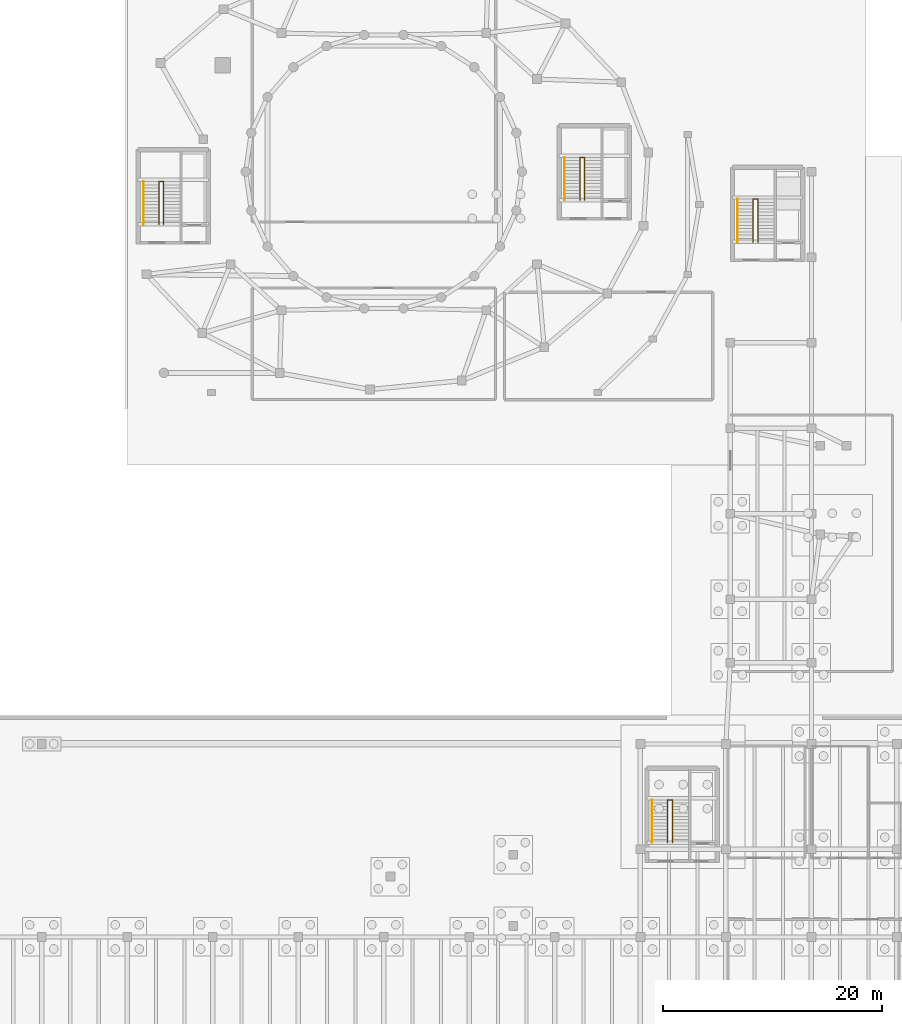
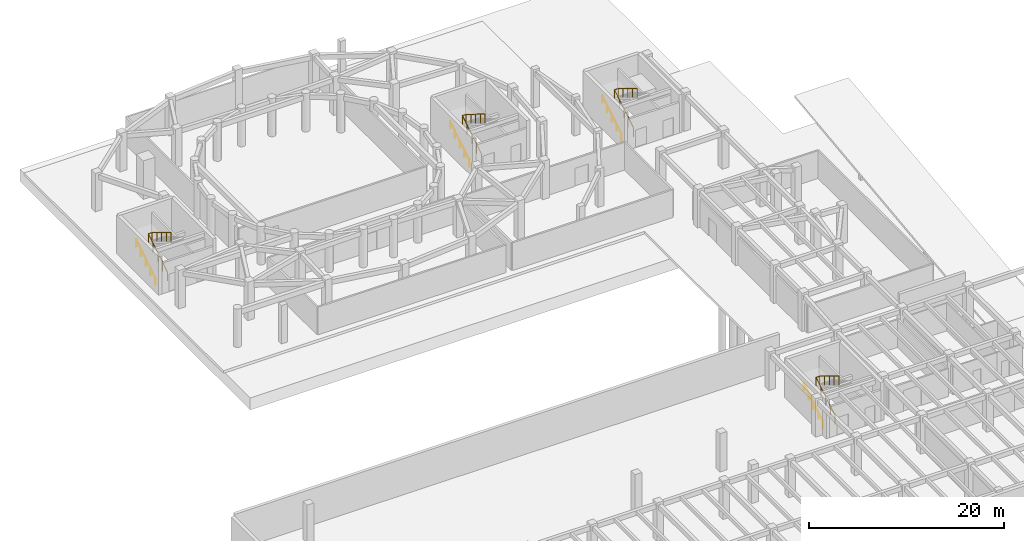
# One storey, part 10 of 11: 8 railings.
"""IFC4 building model written with IfcOpenShell, lengths in metres."""

from ifc_helpers import new_model, si_unit, direction, frame, origin, origin_2d, place, context, subcontext, project, spatial, circle, extrude, material, type_object, element, save


model = new_model("IFC4")

# Units and contexts
model_context = context("Model", 3, precision=1e-05, world=origin(), true_north=direction((0.0, 1.0)))
body_context = subcontext(model_context, "Body", "Model", "MODEL_VIEW")
ifc_project = project(units=[si_unit("LENGTHUNIT", "METRE"), si_unit("AREAUNIT", "SQUARE_METRE"), si_unit("VOLUMEUNIT", "CUBIC_METRE"), si_unit("PLANEANGLEUNIT", "RADIAN"), si_unit("MASSUNIT", "GRAM", prefix="KILO")], contexts=[model_context])

# Site, building, storey
site_placement = place(None, origin())
site = spatial("IfcSite", under=ifc_project, at=site_placement, CompositionType="ELEMENT")
building_placement = place(site_placement, origin())
building = spatial("IfcBuilding", under=site, at=building_placement, Name="Pelvatis Terrace Science Centre", CompositionType="ELEMENT")
storey_placement = place(building_placement, frame((0.0, 0.0, -4.800048828125)))
storey = spatial("IfcBuildingStorey", under=building, at=storey_placement, Name="B01", CompositionType="ELEMENT", Elevation=-4.800048828125)

# Railings
ifc_material_1 = material(Name="Brushed architectural bronze tubular railing", Category="steel")
railing_type_1 = type_object("IfcRailingType", Name="RLG-GRD-1120", PredefinedType="GUARDRAIL", material=ifc_material_1)
railing_1_placement = place(storey_placement, frame((88.679931640625, 81.0, 0.0)))
element("IfcRailing", 1, at=railing_1_placement, inside=storey, type_object=railing_type_1, Name="Stair ST-01-B01 inner well guardrail", PredefinedType="GUARDRAIL", context=body_context, shape_type="SweptSolid", body=[
    extrude(circle(Radius=0.02392578125, at=origin_2d()), frame((0.0, 0.0, 1.09619140625), z_axis=(0.0, 0.851638180308, 0.5241301459), x_axis=(-1.0, 0.0, 0.0)), (0.0, 0.0, 1.0), 4.579345703125),
    extrude(circle(Radius=0.02392578125, at=origin_2d()), frame((0.0, 3.89990234375, 3.49609375), z_axis=(1.0, 0.0, 0.0), x_axis=(0.0, 1.0, 0.0)), (0.0, 0.0, 1.0), 0.440185546875),
    extrude(circle(Radius=0.02392578125, at=origin_2d()), frame((0.440185546875, 3.89990234375, 3.49609375), z_axis=(0.0, -0.851661977835, 0.524091476281), x_axis=(1.0, 0.0, 0.0)), (0.0, 0.0, 1.0), 4.5791015625),
    extrude(circle(Radius=0.02099609375, at=origin_2d()), origin(), (0.0, 0.0, 1.0), 1.072021484375),
    extrude(circle(Radius=0.02099609375, at=origin_2d()), frame((0.0, 0.97509765625, 0.60009765625)), (0.0, 0.0, 1.0), 1.072021484375),
    extrude(circle(Radius=0.02099609375, at=origin_2d()), frame((0.0, 1.949951171875, 1.2001953125)), (0.0, 0.0, 1.0), 1.072021484375),
    extrude(circle(Radius=0.02099609375, at=origin_2d()), frame((0.0, 2.9248046875, 1.800048828125)), (0.0, 0.0, 1.0), 1.072021484375),
    extrude(circle(Radius=0.02099609375, at=origin_2d()), frame((0.0, 3.89990234375, 2.400146484375)), (0.0, 0.0, 1.0), 1.072021484375),
    extrude(circle(Radius=0.02099609375, at=origin_2d()), frame((0.440185546875, 3.89990234375, 2.400146484375)), (0.0, 0.0, 1.0), 1.072021484375),
    extrude(circle(Radius=0.02099609375, at=origin_2d()), frame((0.440185546875, 2.9248046875, 3.0)), (0.0, 0.0, 1.0), 1.072021484375),
    extrude(circle(Radius=0.02099609375, at=origin_2d()), frame((0.440185546875, 1.949951171875, 3.60009765625)), (0.0, 0.0, 1.0), 1.072021484375),
    extrude(circle(Radius=0.02099609375, at=origin_2d()), frame((0.440185546875, 0.97509765625, 4.2001953125)), (0.0, 0.0, 1.0), 1.072021484375),
    extrude(circle(Radius=0.02099609375, at=origin_2d()), frame((0.440185546875, 0.0, 4.800048828125)), (0.0, 0.0, 1.0), 1.072021484375),
])
railing_2_placement = place(storey_placement, frame((127.080078125, 83.199951171875, 0.0)))
element("IfcRailing", 2, at=railing_2_placement, inside=storey, type_object=railing_type_1, Name="Stair ST-02-B01 inner well guardrail", PredefinedType="GUARDRAIL", context=body_context, shape_type="SweptSolid", body=[
    extrude(circle(Radius=0.02392578125, at=origin_2d()), frame((0.0, 0.0, 1.09619140625), z_axis=(0.0, 0.851652825334, 0.524106349037), x_axis=(-1.0, 0.0, 0.0)), (0.0, 0.0, 1.0), 4.57958984375),
    extrude(circle(Radius=0.02392578125, at=origin_2d()), frame((0.0, 3.900146484375, 3.49609375), z_axis=(1.0, 0.0, 0.0), x_axis=(0.0, 1.0, 0.0)), (0.0, 0.0, 1.0), 0.43994140625),
    extrude(circle(Radius=0.02392578125, at=origin_2d()), frame((0.43994140625, 3.900146484375, 3.49609375), z_axis=(0.0, -0.851676621109, 0.524067679844), x_axis=(1.0, 0.0, 0.0)), (0.0, 0.0, 1.0), 4.579345703125),
    extrude(circle(Radius=0.02099609375, at=origin_2d()), origin(), (0.0, 0.0, 1.0), 1.072021484375),
    extrude(circle(Radius=0.02099609375, at=origin_2d()), frame((0.0, 0.97509765625, 0.60009765625)), (0.0, 0.0, 1.0), 1.072021484375),
    extrude(circle(Radius=0.02099609375, at=origin_2d()), frame((0.0, 1.9501953125, 1.2001953125)), (0.0, 0.0, 1.0), 1.072021484375),
    extrude(circle(Radius=0.02099609375, at=origin_2d()), frame((0.0, 2.925048828125, 1.800048828125)), (0.0, 0.0, 1.0), 1.072021484375),
    extrude(circle(Radius=0.02099609375, at=origin_2d()), frame((0.0, 3.900146484375, 2.400146484375)), (0.0, 0.0, 1.0), 1.072021484375),
    extrude(circle(Radius=0.02099609375, at=origin_2d()), frame((0.43994140625, 3.900146484375, 2.400146484375)), (0.0, 0.0, 1.0), 1.072021484375),
    extrude(circle(Radius=0.02099609375, at=origin_2d()), frame((0.43994140625, 2.925048828125, 3.0)), (0.0, 0.0, 1.0), 1.072021484375),
    extrude(circle(Radius=0.02099609375, at=origin_2d()), frame((0.43994140625, 1.9501953125, 3.60009765625)), (0.0, 0.0, 1.0), 1.072021484375),
    extrude(circle(Radius=0.02099609375, at=origin_2d()), frame((0.43994140625, 0.97509765625, 4.2001953125)), (0.0, 0.0, 1.0), 1.072021484375),
    extrude(circle(Radius=0.02099609375, at=origin_2d()), frame((0.43994140625, 0.0, 4.800048828125)), (0.0, 0.0, 1.0), 1.072021484375),
])
railing_3_placement = place(storey_placement, frame((142.8798828125, 79.39990234375, 0.0)))
element("IfcRailing", 3, at=railing_3_placement, inside=storey, type_object=railing_type_1, Name="Stair ST-03-B01 inner well guardrail", PredefinedType="GUARDRAIL", context=body_context, shape_type="SweptSolid", body=[
    extrude(circle(Radius=0.02392578125, at=origin_2d()), frame((0.0, 0.0, 1.09619140625), z_axis=(0.0, 0.851652825334, 0.524106349037), x_axis=(-1.0, 0.0, 0.0)), (0.0, 0.0, 1.0), 4.57958984375),
    extrude(circle(Radius=0.02392578125, at=origin_2d()), frame((0.0, 3.900146484375, 3.49609375), z_axis=(1.0, 0.0, 0.0), x_axis=(0.0, 1.0, 0.0)), (0.0, 0.0, 1.0), 0.440185546875),
    extrude(circle(Radius=0.02392578125, at=origin_2d()), frame((0.440185546875, 3.900146484375, 3.49609375), z_axis=(0.0, -0.851676621109, 0.524067679844), x_axis=(1.0, 0.0, 0.0)), (0.0, 0.0, 1.0), 4.579345703125),
    extrude(circle(Radius=0.02099609375, at=origin_2d()), origin(), (0.0, 0.0, 1.0), 1.072021484375),
    extrude(circle(Radius=0.02099609375, at=origin_2d()), frame((0.0, 0.97509765625, 0.60009765625)), (0.0, 0.0, 1.0), 1.072021484375),
    extrude(circle(Radius=0.02099609375, at=origin_2d()), frame((0.0, 1.9501953125, 1.2001953125)), (0.0, 0.0, 1.0), 1.072021484375),
    extrude(circle(Radius=0.02099609375, at=origin_2d()), frame((0.0, 2.925048828125, 1.800048828125)), (0.0, 0.0, 1.0), 1.072021484375),
    extrude(circle(Radius=0.02099609375, at=origin_2d()), frame((0.0, 3.900146484375, 2.400146484375)), (0.0, 0.0, 1.0), 1.072021484375),
    extrude(circle(Radius=0.02099609375, at=origin_2d()), frame((0.440185546875, 3.900146484375, 2.400146484375)), (0.0, 0.0, 1.0), 1.072021484375),
    extrude(circle(Radius=0.02099609375, at=origin_2d()), frame((0.440185546875, 2.925048828125, 3.0)), (0.0, 0.0, 1.0), 1.072021484375),
    extrude(circle(Radius=0.02099609375, at=origin_2d()), frame((0.440185546875, 1.9501953125, 3.60009765625)), (0.0, 0.0, 1.0), 1.072021484375),
    extrude(circle(Radius=0.02099609375, at=origin_2d()), frame((0.440185546875, 0.97509765625, 4.2001953125)), (0.0, 0.0, 1.0), 1.072021484375),
    extrude(circle(Radius=0.02099609375, at=origin_2d()), frame((0.440185546875, 0.0, 4.800048828125)), (0.0, 0.0, 1.0), 1.072021484375),
])
railing_4_placement = place(storey_placement, frame((135.080078125, 24.60009765625, 0.0)))
element("IfcRailing", 4, at=railing_4_placement, inside=storey, type_object=railing_type_1, Name="Stair ST-04-B01 inner well guardrail", PredefinedType="GUARDRAIL", context=body_context, shape_type="SweptSolid", body=[
    extrude(circle(Radius=0.02392578125, at=origin_2d()), frame((0.0, 0.0, 1.09619140625), z_axis=(0.0, 0.851638180308, 0.5241301459), x_axis=(-1.0, 0.0, 0.0)), (0.0, 0.0, 1.0), 4.579345703125),
    extrude(circle(Radius=0.02392578125, at=origin_2d()), frame((0.0, 3.89990234375, 3.49609375), z_axis=(1.0, 0.0, 0.0), x_axis=(0.0, 1.0, 0.0)), (0.0, 0.0, 1.0), 0.43994140625),
    extrude(circle(Radius=0.02392578125, at=origin_2d()), frame((0.43994140625, 3.89990234375, 3.49609375), z_axis=(0.0, -0.851661977835, 0.524091476281), x_axis=(1.0, 0.0, 0.0)), (0.0, 0.0, 1.0), 4.5791015625),
    extrude(circle(Radius=0.02099609375, at=origin_2d()), origin(), (0.0, 0.0, 1.0), 1.072021484375),
    extrude(circle(Radius=0.02099609375, at=origin_2d()), frame((0.0, 0.97509765625, 0.60009765625)), (0.0, 0.0, 1.0), 1.072021484375),
    extrude(circle(Radius=0.02099609375, at=origin_2d()), frame((0.0, 1.949951171875, 1.2001953125)), (0.0, 0.0, 1.0), 1.072021484375),
    extrude(circle(Radius=0.02099609375, at=origin_2d()), frame((0.0, 2.9248046875, 1.800048828125)), (0.0, 0.0, 1.0), 1.072021484375),
    extrude(circle(Radius=0.02099609375, at=origin_2d()), frame((0.0, 3.89990234375, 2.400146484375)), (0.0, 0.0, 1.0), 1.072021484375),
    extrude(circle(Radius=0.02099609375, at=origin_2d()), frame((0.43994140625, 3.89990234375, 2.400146484375)), (0.0, 0.0, 1.0), 1.072021484375),
    extrude(circle(Radius=0.02099609375, at=origin_2d()), frame((0.43994140625, 2.9248046875, 3.0)), (0.0, 0.0, 1.0), 1.072021484375),
    extrude(circle(Radius=0.02099609375, at=origin_2d()), frame((0.43994140625, 1.949951171875, 3.60009765625)), (0.0, 0.0, 1.0), 1.072021484375),
    extrude(circle(Radius=0.02099609375, at=origin_2d()), frame((0.43994140625, 0.97509765625, 4.2001953125)), (0.0, 0.0, 1.0), 1.072021484375),
    extrude(circle(Radius=0.02099609375, at=origin_2d()), frame((0.43994140625, 0.0, 4.800048828125)), (0.0, 0.0, 1.0), 1.072021484375),
])
ifc_material_2 = material(Name="Brushed architectural bronze tubular railing", Category="steel")
railing_type_2 = type_object("IfcRailingType", Name="RLG-HND-0900", PredefinedType="HANDRAIL", material=ifc_material_2)
railing_5_placement = place(storey_placement, frame((87.260009765625, 81.0, 0.0)))
element("IfcRailing", 5, at=railing_5_placement, inside=storey, type_object=railing_type_2, Name="Stair ST-01-B01 wall handrail", PredefinedType="HANDRAIL", context=body_context, shape_type="SweptSolid", body=[
    extrude(circle(Radius=0.02392578125, at=origin_2d()), frame((0.0, 0.0, 0.8759765625), z_axis=(0.0, 0.851638180308, 0.5241301459), x_axis=(-1.0, 0.0, 0.0)), (0.0, 0.0, 1.0), 4.579345703125),
    extrude(circle(Radius=0.02099609375, at=origin_2d()), origin(), (0.0, 0.0, 1.0), 0.851806640625),
    extrude(circle(Radius=0.02099609375, at=origin_2d()), frame((0.0, 0.97509765625, 0.60009765625)), (0.0, 0.0, 1.0), 0.851806640625),
    extrude(circle(Radius=0.02099609375, at=origin_2d()), frame((0.0, 1.949951171875, 1.2001953125)), (0.0, 0.0, 1.0), 0.851806640625),
    extrude(circle(Radius=0.02099609375, at=origin_2d()), frame((0.0, 2.9248046875, 1.800048828125)), (0.0, 0.0, 1.0), 0.851806640625),
    extrude(circle(Radius=0.02099609375, at=origin_2d()), frame((0.0, 3.89990234375, 2.400146484375)), (0.0, 0.0, 1.0), 0.851806640625),
])
for number, where, name in (
    (6, (125.659912109375, 83.199951171875, 0.0), "Stair ST-02-B01 wall handrail"),
    (7, (141.4599609375, 79.39990234375, 0.0), "Stair ST-03-B01 wall handrail"),
):
    element("IfcRailing", number, at=place(storey_placement, frame(where)), inside=storey, type_object=railing_type_2, Name=name, PredefinedType="HANDRAIL", context=body_context, shape_type="SweptSolid", body=[
        extrude(circle(Radius=0.02392578125, at=origin_2d()), frame((0.0, 0.0, 0.8759765625), z_axis=(0.0, 0.851652825334, 0.524106349037), x_axis=(-1.0, 0.0, 0.0)), (0.0, 0.0, 1.0), 4.57958984375),
        extrude(circle(Radius=0.02099609375, at=origin_2d()), origin(), (0.0, 0.0, 1.0), 0.851806640625),
        extrude(circle(Radius=0.02099609375, at=origin_2d()), frame((0.0, 0.97509765625, 0.60009765625)), (0.0, 0.0, 1.0), 0.851806640625),
        extrude(circle(Radius=0.02099609375, at=origin_2d()), frame((0.0, 1.9501953125, 1.2001953125)), (0.0, 0.0, 1.0), 0.851806640625),
        extrude(circle(Radius=0.02099609375, at=origin_2d()), frame((0.0, 2.925048828125, 1.800048828125)), (0.0, 0.0, 1.0), 0.851806640625),
        extrude(circle(Radius=0.02099609375, at=origin_2d()), frame((0.0, 3.900146484375, 2.400146484375)), (0.0, 0.0, 1.0), 0.851806640625),
    ])
railing_6_placement = place(storey_placement, frame((133.659912109375, 24.60009765625, 0.0)))
element("IfcRailing", 8, at=railing_6_placement, inside=storey, type_object=railing_type_2, Name="Stair ST-04-B01 wall handrail", PredefinedType="HANDRAIL", context=body_context, shape_type="SweptSolid", body=[
    extrude(circle(Radius=0.02392578125, at=origin_2d()), frame((0.0, 0.0, 0.8759765625), z_axis=(0.0, 0.851638180308, 0.5241301459), x_axis=(-1.0, 0.0, 0.0)), (0.0, 0.0, 1.0), 4.579345703125),
    extrude(circle(Radius=0.02099609375, at=origin_2d()), origin(), (0.0, 0.0, 1.0), 0.851806640625),
    extrude(circle(Radius=0.02099609375, at=origin_2d()), frame((0.0, 0.97509765625, 0.60009765625)), (0.0, 0.0, 1.0), 0.851806640625),
    extrude(circle(Radius=0.02099609375, at=origin_2d()), frame((0.0, 1.949951171875, 1.2001953125)), (0.0, 0.0, 1.0), 0.851806640625),
    extrude(circle(Radius=0.02099609375, at=origin_2d()), frame((0.0, 2.9248046875, 1.800048828125)), (0.0, 0.0, 1.0), 0.851806640625),
    extrude(circle(Radius=0.02099609375, at=origin_2d()), frame((0.0, 3.89990234375, 2.400146484375)), (0.0, 0.0, 1.0), 0.851806640625),
])

save(model, "model.ifc")
